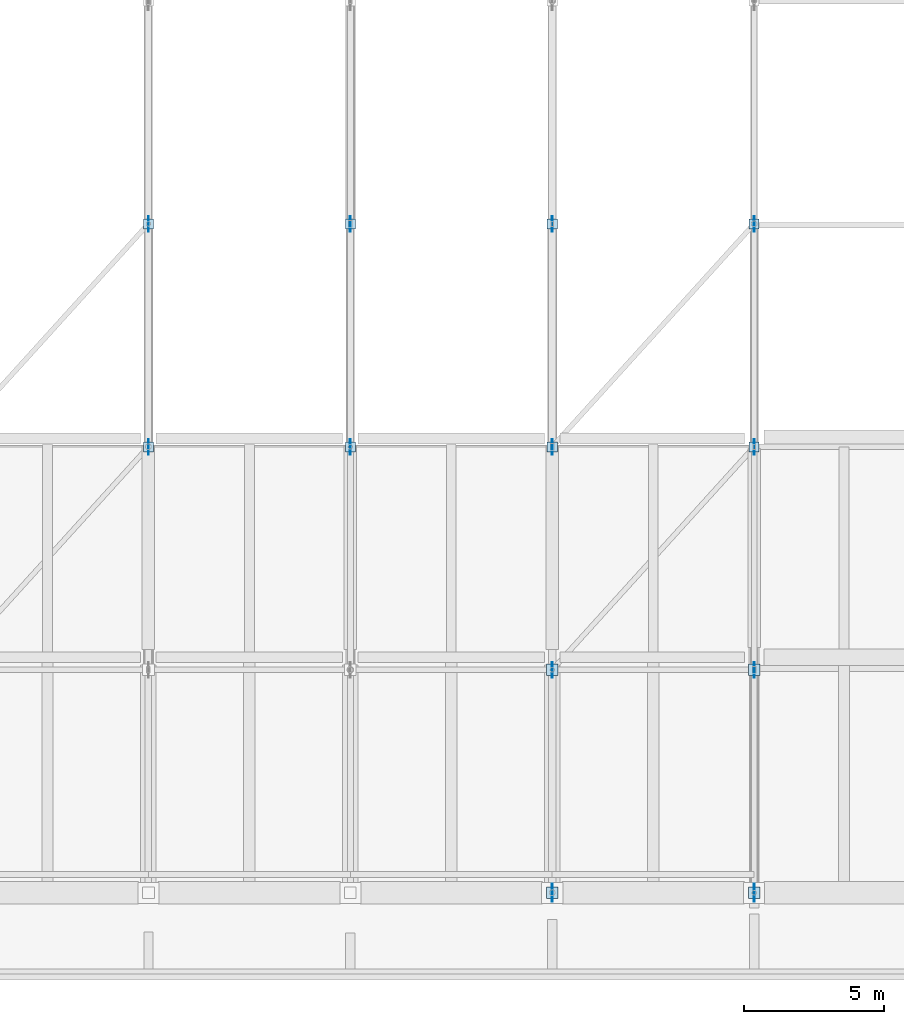
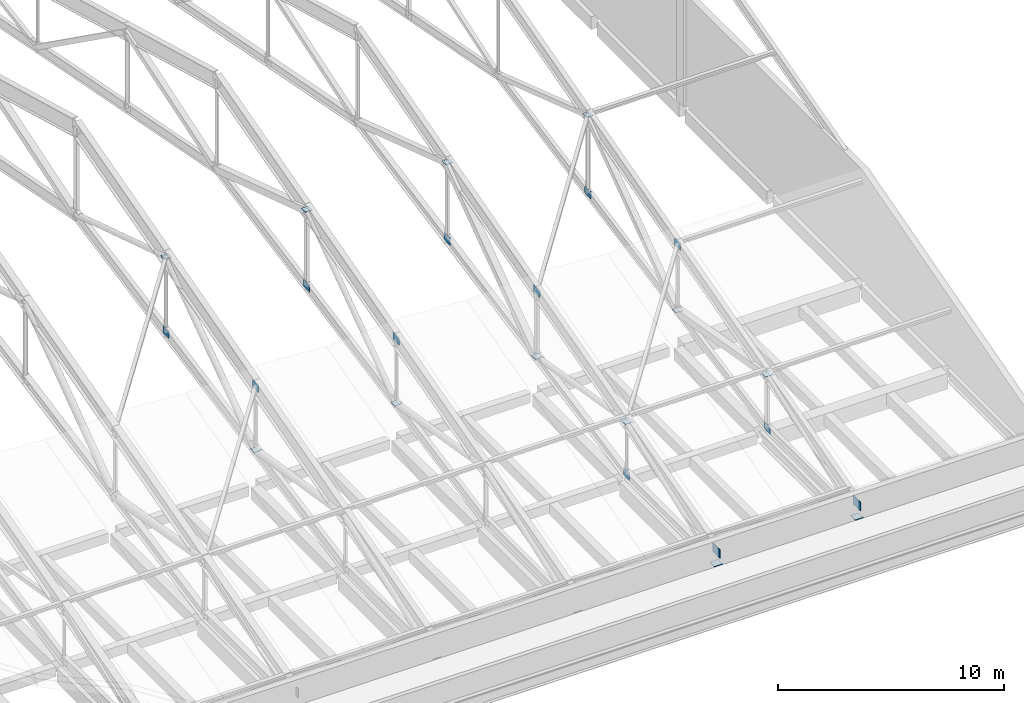
# One storey, part 44 of 53: 24 plates.
"""IFC4 building model written with IfcOpenShell, lengths in metres."""

from ifc_helpers import new_model, si_unit, direction, frame, origin, origin_2d, place, context, subcontext, project, spatial, rectangle, extrude, material, layer, layer_set, type_object, element, save


model = new_model("IFC4")

# Units and contexts
model_context = context("Model", 3, precision=1e-05, world=origin(), true_north=direction((0.0, 1.0)))
body_context = subcontext(model_context, "Body", "Model", "MODEL_VIEW")
ifc_project = project(units=[si_unit("LENGTHUNIT", "METRE"), si_unit("AREAUNIT", "SQUARE_METRE"), si_unit("VOLUMEUNIT", "CUBIC_METRE"), si_unit("PLANEANGLEUNIT", "RADIAN"), si_unit("MASSUNIT", "GRAM", prefix="KILO")], contexts=[model_context])

# Site, building, storey
site_placement = place(None, origin())
site = spatial("IfcSite", under=ifc_project, at=site_placement, CompositionType="ELEMENT")
building_placement = place(site_placement, origin())
building = spatial("IfcBuilding", under=site, at=building_placement, Name="Pellamere Symphony Hall", CompositionType="ELEMENT")
storey_placement = place(building_placement, frame((0.0, 0.0, 24.0)))
storey = spatial("IfcBuildingStorey", under=building, at=storey_placement, Name="L05", CompositionType="ELEMENT", Elevation=24.0)

# Plates
ifc_material = material(Name="Steel CSA G40.21 350W", Category="steel")
ifc_layer_1 = layer(ifc_material, 0.02490234375, Name="Steel CSA G40.21 350W")
ifc_layer_set_1 = layer_set([ifc_layer_1], Name="Steel CSA G40.21 350W")
plate_type_1 = type_object("IfcPlateType", Name="Steel Connection Plate KP-01 420x420x25", PredefinedType="SHEET", material=ifc_layer_set_1)
for number, where, z_axis, x_axis, name in (
    (1, (102.0, 30.0, 0.1474609375), (0.0, 0.0, 1.0), (1.0, 0.0, 0.0), "Roof Truss Node End Cap Plate KN1 113"),
    (2, (102.0, 37.949951171875, 3.027587890625), (0.0, 0.0, 1.0), (1.0, 0.0, 0.0), "Roof Truss Node End Cap Plate KN1 114"),
    (3, (109.199951171875, 30.0, 0.1474609375), (0.0, 0.0, 1.0), (1.0, 0.0, 0.0), "Roof Truss Node End Cap Plate KN1 133"),
    (4, (109.199951171875, 37.949951171875, 3.068603515625), (0.0, 0.0, 1.0), (1.0, 0.0, 0.0), "Roof Truss Node End Cap Plate KN1 134"),
):
    element("IfcPlate", number, at=place(storey_placement, frame(where, z_axis=z_axis, x_axis=x_axis)), inside=storey, type_object=plate_type_1, Name=name, PredefinedType="SHEET", context=body_context, shape_type="SweptSolid", body=[
        extrude(rectangle(XDim=0.419921875, YDim=0.419921875, at=origin_2d()), origin(), (0.0, 0.0, 1.0), 0.02490234375),
    ])
ifc_layer_2 = layer(ifc_material, 0.02197265625, Name="Steel CSA G40.21 350W")
ifc_layer_set_2 = layer_set([ifc_layer_2], Name="Steel CSA G40.21 350W")
plate_type_2 = type_object("IfcPlateType", Name="Steel Connection Plate KP-02 360x360x22", PredefinedType="SHEET", material=ifc_layer_set_2)
for number, where, z_axis, x_axis, name in (
    (5, (87.60009765625, 45.89990234375, 1.69580078125), (0.0, 0.0, 1.0), (1.0, 0.0, 0.0), "Roof Truss Node End Cap Plate KN2 079"),
    (6, (87.60009765625, 53.85009765625, 7.33056640625), (0.0, 0.0, 1.0), (1.0, 0.0, 0.0), "Roof Truss Node End Cap Plate KN3 080"),
    (7, (94.800048828125, 45.89990234375, 1.69580078125), (0.0, 0.0, 1.0), (1.0, 0.0, 0.0), "Roof Truss Node End Cap Plate KN2 097"),
    (8, (94.800048828125, 53.85009765625, 7.368408203125), (0.0, 0.0, 1.0), (1.0, 0.0, 0.0), "Roof Truss Node End Cap Plate KN3 098"),
    (9, (102.0, 45.89990234375, 1.69580078125), (0.0, 0.0, 1.0), (1.0, 0.0, 0.0), "Roof Truss Node End Cap Plate KN2 115"),
    (10, (102.0, 53.85009765625, 7.408935546875), (0.0, 0.0, 1.0), (1.0, 0.0, 0.0), "Roof Truss Node End Cap Plate KN3 116"),
    (11, (109.199951171875, 45.89990234375, 1.69580078125), (0.0, 0.0, 1.0), (1.0, 0.0, 0.0), "Roof Truss Node End Cap Plate KN2 135"),
    (12, (109.199951171875, 53.85009765625, 7.449951171875), (0.0, 0.0, 1.0), (1.0, 0.0, 0.0), "Roof Truss Node End Cap Plate KN3 136"),
):
    element("IfcPlate", number, at=place(storey_placement, frame(where, z_axis=z_axis, x_axis=x_axis)), inside=storey, type_object=plate_type_2, Name=name, PredefinedType="SHEET", context=body_context, shape_type="SweptSolid", body=[
        extrude(rectangle(XDim=0.360107421875, YDim=0.360107421875, at=origin_2d()), origin(), (0.0, 0.0, 1.0), 0.02197265625),
    ])
ifc_layer_3 = layer(ifc_material, 0.028076171875, Name="Steel CSA G40.21 350W")
ifc_layer_set_3 = layer_set([ifc_layer_3], Name="Steel CSA G40.21 350W")
plate_type_3 = type_object("IfcPlateType", Name="Steel Connection Plate KP-03 650x480x28", PredefinedType="USERDEFINED", material=ifc_layer_set_3)
for number, where, z_axis, x_axis, name in (
    (13, (102.0, 30.0, 0.610107421875), (0.0, 0.0, 1.0), (1.0, 0.0, 0.0), "Roof Truss Upper Gusset Plate KN1 122"),
    (14, (109.199951171875, 30.0, 0.651123046875), (0.0, 0.0, 1.0), (1.0, 0.0, 0.0), "Roof Truss Upper Gusset Plate KN1 142"),
):
    element("IfcPlate", number, at=place(storey_placement, frame(where, z_axis=z_axis, x_axis=x_axis)), inside=storey, type_object=plate_type_3, Name=name, ObjectType="GUSSET PLATE", PredefinedType="USERDEFINED", context=body_context, shape_type="SweptSolid", body=[
        extrude(rectangle(XDim=0.028076171875, YDim=0.64990234375, at=origin_2d()), origin(), (0.0, 0.0, 1.0), 0.47998046875),
    ])
ifc_layer_4 = layer(ifc_material, 0.02392578125, Name="Steel CSA G40.21 350W")
ifc_layer_set_4 = layer_set([ifc_layer_4], Name="Steel CSA G40.21 350W")
plate_type_4 = type_object("IfcPlateType", Name="Steel Connection Plate KP-04 550x400x24", PredefinedType="USERDEFINED", material=ifc_layer_set_4)
for number, where, z_axis, x_axis, name in (
    (15, (87.60009765625, 45.89990234375, 4.95166015625), (0.0, 0.0, 1.0), (1.0, 0.0, 0.0), "Roof Truss Upper Gusset Plate KN3 088"),
    (16, (87.60009765625, 53.85009765625, 3.053466796875), (0.0, 0.0, 1.0), (1.0, 0.0, 0.0), "Roof Truss Lower Gusset Plate KN4 089"),
    (17, (94.800048828125, 45.89990234375, 4.989501953125), (0.0, 0.0, 1.0), (1.0, 0.0, 0.0), "Roof Truss Upper Gusset Plate KN3 106"),
    (18, (94.800048828125, 53.85009765625, 3.053466796875), (0.0, 0.0, 1.0), (1.0, 0.0, 0.0), "Roof Truss Lower Gusset Plate KN4 107"),
    (19, (102.0, 37.949951171875, -0.0400390625), (0.0, 0.0, 1.0), (1.0, 0.0, 0.0), "Roof Truss Lower Gusset Plate KN2 124"),
    (20, (102.0, 45.89990234375, 5.030029296875), (0.0, 0.0, 1.0), (1.0, 0.0, 0.0), "Roof Truss Upper Gusset Plate KN3 125"),
    (21, (102.0, 53.85009765625, 3.053466796875), (0.0, 0.0, 1.0), (1.0, 0.0, 0.0), "Roof Truss Lower Gusset Plate KN4 126"),
    (22, (109.199951171875, 37.949951171875, -0.0400390625), (0.0, 0.0, 1.0), (1.0, 0.0, 0.0), "Roof Truss Lower Gusset Plate KN2 144"),
    (23, (109.199951171875, 45.89990234375, 5.071044921875), (0.0, 0.0, 1.0), (1.0, 0.0, 0.0), "Roof Truss Upper Gusset Plate KN3 145"),
    (24, (109.199951171875, 53.85009765625, 3.053466796875), (0.0, 0.0, 1.0), (1.0, 0.0, 0.0), "Roof Truss Lower Gusset Plate KN4 146"),
):
    element("IfcPlate", number, at=place(storey_placement, frame(where, z_axis=z_axis, x_axis=x_axis)), inside=storey, type_object=plate_type_4, Name=name, ObjectType="GUSSET PLATE", PredefinedType="USERDEFINED", context=body_context, shape_type="SweptSolid", body=[
        extrude(rectangle(XDim=0.02392578125, YDim=0.550048828125, at=origin_2d()), origin(), (0.0, 0.0, 1.0), 0.39990234375),
    ])

save(model, "model.ifc")
